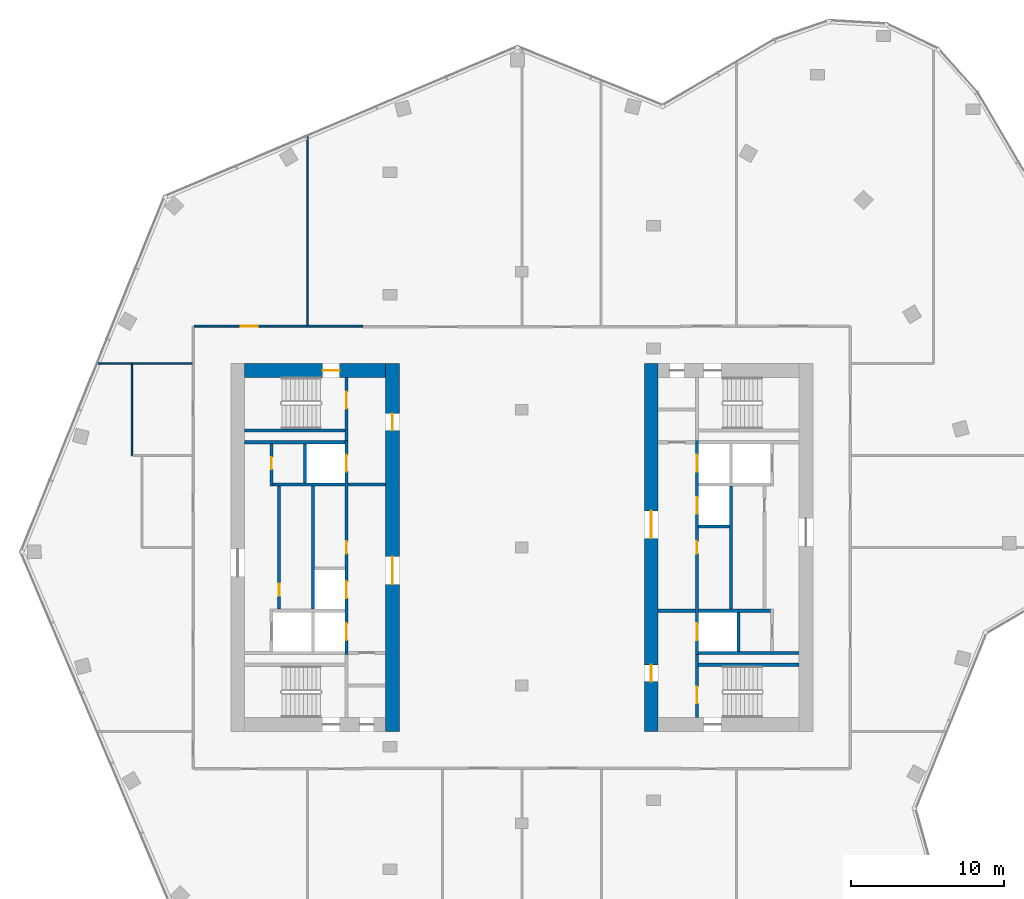
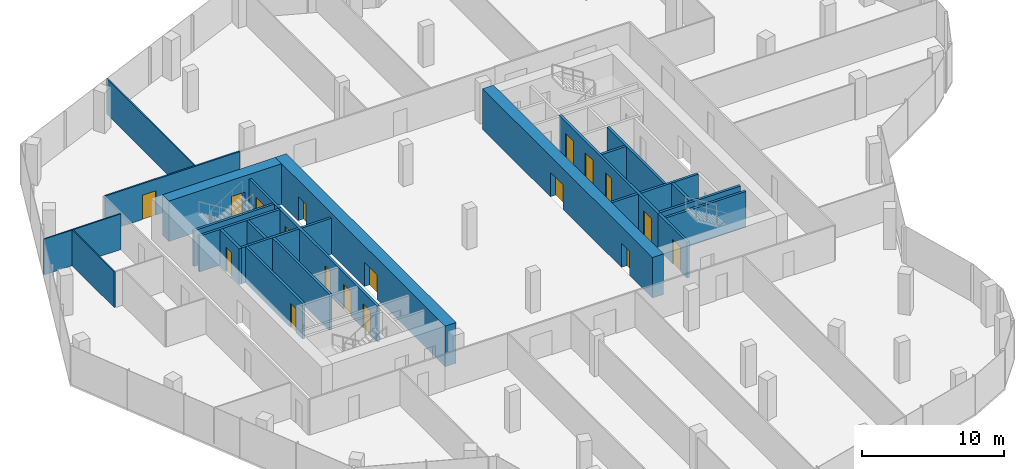
# One storey, part 13 of 16: 26 walls, 18 doors, 18 openings.
"""IFC4 building model written with IfcOpenShell, lengths in metres."""

import ifcopenshell
import ifcopenshell.guid

model = None  # the IFC model being written
_history = None  # IfcOwnerHistory: only IFC2X3 demands one
_inside = {}  # id of a spatial element -> (the spatial element, [elements in it])
_under = {}  # id of a project, library or spatial element -> (it, [spatial elements below it])
_declared = {}  # id of a project -> (the project, [libraries it declares])
_typed = {}  # id of a type object -> (the type object, [elements of that type])
_made_of = {}  # id of a material, layer set ... -> (it, [elements and type objects made of it])


def new_model(schema):
    """Start an empty IFC model of exactly this schema.

    Asked for "IFC4X3", IfcOpenShell would pick the latest addendum, in which some entities
    have other attributes; the version numbers below select the first issue.
    IFC2X3 requires an IfcOwnerHistory on every rooted entity: one is made here for all.
    """
    global model, _history
    if schema == "IFC4X3":
        model = ifcopenshell.file(schema_version=(4, 3, 0, 0))
    else:
        model = ifcopenshell.file(schema=schema)
    _inside.clear()
    _under.clear()
    _declared.clear()
    _typed.clear()
    _made_of.clear()
    _history = None
    if model.schema == "IFC2X3":
        org = make("IfcOrganization", Name="unknown")
        user = make(
            "IfcPersonAndOrganization",
            ThePerson=make("IfcPerson", FamilyName="unknown"),
            TheOrganization=org,
        )
        app = make(
            "IfcApplication",
            ApplicationDeveloper=org,
            Version="unknown",
            ApplicationFullName="unknown",
            ApplicationIdentifier="unknown",
        )
        _history = make(
            "IfcOwnerHistory",
            OwningUser=user,
            OwningApplication=app,
            ChangeAction="ADDED",
            CreationDate=0,
        )
    return model


def make(cls, **values):
    """One entity of the class cls with the attributes given. An attribute that is None is left unset."""
    return model.create_entity(
        cls, **{name: value for name, value in values.items() if value is not None}
    )


def rooted(cls, **values):
    """An entity with a GlobalId (a new one), such as an element, a storey or a relation."""
    return make(cls, GlobalId=ifcopenshell.guid.new(), OwnerHistory=_history, **values)


def si_unit(unit_type, name, prefix=None):
    """IfcSIUnit, for example si_unit("LENGTHUNIT", "METRE", prefix="MILLI")."""
    return make("IfcSIUnit", UnitType=unit_type, Prefix=prefix, Name=name)


def assignment(units):
    """IfcUnitAssignment: the units of a project."""
    return None if units is None else make("IfcUnitAssignment", Units=units)


def point(xyz):
    """IfcCartesianPoint."""
    return None if xyz is None else make("IfcCartesianPoint", Coordinates=xyz)


def direction(xyz):
    """IfcDirection."""
    return None if xyz is None else make("IfcDirection", DirectionRatios=xyz)


def frame(location, z_axis=None, x_axis=None):
    """IfcAxis2Placement3D, a coordinate frame: its origin and axes. An axis left out is left unset."""
    return make(
        "IfcAxis2Placement3D",
        Location=point(location),
        Axis=direction(z_axis),
        RefDirection=direction(x_axis),
    )


def frame_2d(location, x_axis=None):
    """IfcAxis2Placement2D, a coordinate frame in the plane: its origin and x axis."""
    return make(
        "IfcAxis2Placement2D", Location=point(location), RefDirection=direction(x_axis)
    )


def origin():
    """The frame at (0, 0, 0) with its axes left unset."""
    return frame((0.0, 0.0, 0.0))


def place(relative_to, where):
    """IfcLocalPlacement: puts the frame where relative to a parent placement (None: the world)."""
    return make(
        "IfcLocalPlacement", PlacementRelTo=relative_to, RelativePlacement=where
    )


def context(
    kind, dimensions, precision=None, world=None, true_north=None, identifier=None
):
    """IfcGeometricRepresentationContext, for example the 3D "Model" context."""
    return make(
        "IfcGeometricRepresentationContext",
        ContextIdentifier=identifier,
        ContextType=kind,
        CoordinateSpaceDimension=dimensions,
        Precision=precision,
        WorldCoordinateSystem=world,
        TrueNorth=true_north,
    )


def subcontext(parent, identifier, kind, view, scale=None):
    """IfcGeometricRepresentationSubContext, for example "Body" below "Model"."""
    return make(
        "IfcGeometricRepresentationSubContext",
        ContextIdentifier=identifier,
        ContextType=kind,
        ParentContext=parent,
        TargetScale=scale,
        TargetView=view,
    )


def project(units=None, contexts=None):
    """IfcProject with its units and contexts."""
    return rooted(
        "IfcProject",
        Name="project",
        RepresentationContexts=contexts,
        UnitsInContext=assignment(units),
    )


def spatial(cls, under=None, at=None, **own):
    """A site, building, storey or space (cls), placed at a placement, below another one or the project."""
    s = rooted(cls, ObjectPlacement=at, **own)
    if under is not None:
        _under.setdefault(under.id(), (under, []))[1].append(s)
    return s


def profile(cls, at=None, kind="AREA", **sizes):
    """A parametric profile (cls). Its sizes go by their IFC names, for example OverallWidth=200.0."""
    return make(cls, ProfileType=kind, Position=at, **sizes)


def rectangle(**sizes):
    """IfcRectangleProfileDef."""
    return profile("IfcRectangleProfileDef", **sizes)


def extrude(swept, where, along, depth):
    """IfcExtrudedAreaSolid: the profile swept, set in the frame where, extruded along a direction by depth."""
    return make(
        "IfcExtrudedAreaSolid",
        SweptArea=swept,
        Position=where,
        ExtrudedDirection=direction(along),
        Depth=depth,
    )


def shape(context_of_items, identifier, shape_type, items):
    """IfcShapeRepresentation: the items that make up one representation, for example the "Body"."""
    return make(
        "IfcShapeRepresentation",
        ContextOfItems=context_of_items,
        RepresentationIdentifier=identifier,
        RepresentationType=shape_type,
        Items=items,
    )


def material(Name=None, Category=None):
    """IfcMaterial."""
    return make("IfcMaterial", Name=Name, Category=Category)


def layer(
    of_material, thickness, ventilated=None, Name=None, Category=None, Priority=None
):
    """IfcMaterialLayer: one layer of a wall or slab, of a material (None: an air gap)."""
    return make(
        "IfcMaterialLayer",
        Material=of_material,
        LayerThickness=thickness,
        IsVentilated=ventilated,
        Name=Name,
        Category=Category,
        Priority=Priority,
    )


def layer_set(layers, Name=None):
    """IfcMaterialLayerSet."""
    return make("IfcMaterialLayerSet", MaterialLayers=layers, LayerSetName=Name)


def made_of(thing, what):
    """Note that an element or type object is made of a material, layer set ...; save() writes the relation."""
    if what is not None:
        _made_of.setdefault(what.id(), (what, []))[1].append(thing)
    return thing


def type_object(cls, material=None, **own):
    """A type object (cls), such as IfcWallType, which elements share."""
    return made_of(rooted(cls, **own), material)


def element(
    cls,
    number,
    at=None,
    inside=None,
    cuts=None,
    type_object=None,
    material=None,
    context=None,
    identifier="Body",
    shape_type=None,
    held_by="IfcProductDefinitionShape",
    body=None,
    shapes=None,
    **own,
):
    """One element of the class cls, such as IfcWall. Its Tag is "e" and its number.

    at: its placement. inside: the storey or other place that contains it. cuts: it is an
    opening in that element (IfcRelVoidsElement). A single representation is given by context,
    identifier, shape_type and body (its items); several are given by shapes. held_by: the class
    of the entity that holds the representations. save() writes the other relations.
    """
    e = rooted(cls, Tag="e%d" % number, ObjectPlacement=at, **own)
    if body is not None:
        shapes = [shape(context, identifier, shape_type, body)]
    if shapes is not None:
        e.Representation = make(held_by, Representations=shapes)
    if inside is not None:
        _inside.setdefault(inside.id(), (inside, []))[1].append(e)
    if cuts is not None:
        rooted(
            "IfcRelVoidsElement", RelatingBuildingElement=cuts, RelatedOpeningElement=e
        )
    if type_object is not None:
        _typed.setdefault(type_object.id(), (type_object, []))[1].append(e)
    return made_of(e, material)


def fill(opening, filler):
    """IfcRelFillsElement: the door or window that sits in an opening."""
    return rooted(
        "IfcRelFillsElement",
        RelatingOpeningElement=opening,
        RelatedBuildingElement=filler,
    )


def aggregate(whole, parts):
    """IfcRelAggregates: a whole, such as a stair, and the parts it consists of."""
    return rooted("IfcRelAggregates", RelatingObject=whole, RelatedObjects=parts)


def save(model, path):
    """Write the relations noted so far, then the file.

    IfcRelAggregates (storeys below a building ...), IfcRelContainedInSpatialStructure (elements
    in a storey), IfcRelDefinesByType, IfcRelAssociatesMaterial and IfcRelDeclares: one each for
    every whole, place, type object, material and project.
    """
    for whole, parts in _under.values():
        aggregate(whole, parts)
    for where, things in _inside.values():
        rooted(
            "IfcRelContainedInSpatialStructure",
            RelatedElements=things,
            RelatingStructure=where,
        )
    for kind, things in _typed.values():
        rooted("IfcRelDefinesByType", RelatedObjects=things, RelatingType=kind)
    for what, things in _made_of.values():
        rooted("IfcRelAssociatesMaterial", RelatedObjects=things, RelatingMaterial=what)
    for by, libraries in _declared.values():
        rooted("IfcRelDeclares", RelatingContext=by, RelatedDefinitions=libraries)
    model.write(path)


model = new_model("IFC4")

# Units and contexts
model_context = context("Model", 3, precision=1e-05, world=origin(), true_north=direction((0.0, 1.0)))
body_context = subcontext(model_context, "Body", "Model", "MODEL_VIEW")
ifc_project = project(units=[si_unit("LENGTHUNIT", "METRE"), si_unit("AREAUNIT", "SQUARE_METRE"), si_unit("VOLUMEUNIT", "CUBIC_METRE"), si_unit("PLANEANGLEUNIT", "RADIAN"), si_unit("MASSUNIT", "GRAM", prefix="KILO")], contexts=[model_context])

# Site, building, storey
site_placement = place(None, origin())
site = spatial("IfcSite", under=ifc_project, at=site_placement, CompositionType="ELEMENT")
building_placement = place(site_placement, origin())
building = spatial("IfcBuilding", under=site, at=building_placement, Name="Orlundy Tower", CompositionType="ELEMENT")
storey_placement = place(building_placement, frame((0.0, 0.0, 282.39990234375)))
storey = spatial("IfcBuildingStorey", under=building, at=storey_placement, Name="L75", CompositionType="ELEMENT", Elevation=282.39990234375)

# Wall, opening, door
ifc_material_1 = material(Name="Concrete C50/60", Category="concrete")
ifc_layer_1 = layer(ifc_material_1, 0.89990234375)
ifc_layer_set_1 = layer_set([ifc_layer_1], Name="CORE WALL 900 C50/60")
wall_type_1 = type_object("IfcWallType", Name="CORE WALL 900 C50/60", PredefinedType="SHEAR", material=ifc_layer_set_1)
wall_1_placement = place(storey_placement, frame((-18.10009765625, 11.550048828125, 0.0), z_axis=(0.0, 0.0, 1.0), x_axis=(1.0, 0.0, 0.0)))
wall_1 = element("IfcWall", 1, at=wall_1_placement, inside=storey, type_object=wall_type_1, Name="Core wall W-N L75", PredefinedType="SHEAR", context=body_context, shape_type="SweptSolid", body=[
    extrude(rectangle(XDim=9.2001953125, YDim=0.89990234375, at=frame_2d((4.60009765625, 0.0))), origin(), (0.0, 0.0, 1.0), 3.5),
])
opening_1_placement = place(wall_1_placement, frame((5.10009765625, 0.0, 0.0)))
opening_1 = element("IfcOpeningElement", 2, at=opening_1_placement, cuts=wall_1, Name="Opening 57011", PredefinedType="OPENING", context=body_context, shape_type="SweptSolid", body=[
    extrude(rectangle(XDim=1.10009765625, YDim=2.10009765625, at=frame_2d((0.550048828125, 1.050048828125))), frame((0.0, 0.4599609375, 0.0), z_axis=(0.0, -1.0, 0.0), x_axis=(1.0, 0.0, 0.0)), (0.0, 0.0, 1.0), 0.919921875),
])
ifc_material_2 = material(Name="Steel door set", Category="steel")
door_type_1 = type_object("IfcDoorType", Name="Stair Door 1100x2100", OperationType="SINGLE_SWING_LEFT", PredefinedType="DOOR", material=ifc_material_2)
door_1_placement = place(opening_1_placement, origin())
door_1 = element("IfcDoor", 3, at=door_1_placement, inside=storey, type_object=door_type_1, Name="Stair door 57011", OperationType="SINGLE_SWING_RIGHT", OverallHeight=2.10009765625, OverallWidth=1.10009765625, PredefinedType="DOOR", context=body_context, shape_type="SweptSolid", body=[
    extrude(rectangle(XDim=1.10009765625, YDim=2.10009765625, at=frame_2d((0.550048828125, 1.050048828125))), frame((0.0, 0.02490234375, 0.0), z_axis=(0.0, -1.0, 0.0), x_axis=(1.0, 0.0, 0.0)), (0.0, 0.0, 1.0), 0.050048828125),
])
fill(opening_1, door_1)

# Wall, openings, doors
wall_2_placement = place(storey_placement, frame((-8.449951171875, -12.0, 0.0), z_axis=(0.0, 0.0, 1.0), x_axis=(0.0, 1.0, 0.0)))
wall_2 = element("IfcWall", 4, at=wall_2_placement, inside=storey, type_object=wall_type_1, Name="Core wall W-E L75", PredefinedType="SHEAR", context=body_context, shape_type="SweptSolid", body=[
    extrude(rectangle(XDim=24.0, YDim=0.89990234375, at=frame_2d((12.0, 0.0))), origin(), (0.0, 0.0, 1.0), 3.5),
])
opening_2_placement = place(wall_2_placement, frame((9.60009765625, 0.0, 0.0)))
opening_2 = element("IfcOpeningElement", 5, at=opening_2_placement, cuts=wall_2, Name="Opening 57008", PredefinedType="OPENING", context=body_context, shape_type="SweptSolid", body=[
    extrude(rectangle(XDim=1.800048828125, YDim=2.10009765625, at=frame_2d((0.89990234375, 1.050048828125))), frame((0.0, 0.4599609375, 0.0), z_axis=(0.0, -1.0, 0.0), x_axis=(1.0, 0.0, 0.0)), (0.0, 0.0, 1.0), 0.919921875),
])
opening_3_placement = place(wall_2_placement, frame((19.64990234375, 0.0, 0.0)))
opening_3 = element("IfcOpeningElement", 6, at=opening_3_placement, cuts=wall_2, Name="Opening 57010", PredefinedType="OPENING", context=body_context, shape_type="SweptSolid", body=[
    extrude(rectangle(XDim=1.10009765625, YDim=2.10009765625, at=frame_2d((0.550048828125, 1.050048828125))), frame((0.0, 0.4599609375, 0.0), z_axis=(0.0, -1.0, 0.0), x_axis=(1.0, 0.0, 0.0)), (0.0, 0.0, 1.0), 0.919921875),
])
ifc_material_3 = material(Name="Steel door set", Category="steel")
door_type_2 = type_object("IfcDoorType", Name="Fire-fighting Lobby Door 1100x2100", OperationType="SINGLE_SWING_LEFT", PredefinedType="DOOR", material=ifc_material_3)
door_2_placement = place(opening_3_placement, origin())
door_2 = element("IfcDoor", 7, at=door_2_placement, inside=storey, type_object=door_type_2, Name="Fire-fighting lobby door 57010", OperationType="SINGLE_SWING_RIGHT", OverallHeight=2.10009765625, OverallWidth=1.10009765625, PredefinedType="DOOR", context=body_context, shape_type="SweptSolid", body=[
    extrude(rectangle(XDim=1.10009765625, YDim=2.10009765625, at=frame_2d((0.550048828125, 1.050048828125))), frame((0.0, 0.02490234375, 0.0), z_axis=(0.0, -1.0, 0.0), x_axis=(1.0, 0.0, 0.0)), (0.0, 0.0, 1.0), 0.050048828125),
])
fill(opening_3, door_2)
ifc_material_4 = material(Name="Timber door set", Category="wood")
door_type_3 = type_object("IfcDoorType", Name="Lobby Door 1800x2100", OperationType="DOUBLE_DOOR_DOUBLE_SWING", PredefinedType="DOOR", material=ifc_material_4)
door_3_placement = place(opening_2_placement, origin())
door_3 = element("IfcDoor", 8, at=door_3_placement, inside=storey, type_object=door_type_3, Name="Lift lobby door 57008", OperationType="SINGLE_SWING_LEFT", OverallHeight=2.10009765625, OverallWidth=1.800048828125, PredefinedType="DOOR", context=body_context, shape_type="SweptSolid", body=[
    extrude(rectangle(XDim=1.800048828125, YDim=2.10009765625, at=frame_2d((0.89990234375, 1.050048828125))), frame((0.0, 0.02490234375, 0.0), z_axis=(0.0, -1.0, 0.0), x_axis=(1.0, 0.0, 0.0)), (0.0, 0.0, 1.0), 0.050048828125),
])
fill(opening_2, door_3)

wall_3_placement = place(storey_placement, frame((8.449951171875, -12.0, 0.0), z_axis=(0.0, 0.0, 1.0), x_axis=(0.0, 1.0, 0.0)))
wall_3 = element("IfcWall", 9, at=wall_3_placement, inside=storey, type_object=wall_type_1, Name="Core wall E-W L75", PredefinedType="SHEAR", context=body_context, shape_type="SweptSolid", body=[
    extrude(rectangle(XDim=24.0, YDim=0.89990234375, at=frame_2d((12.0, 0.0))), origin(), (0.0, 0.0, 1.0), 3.5),
])
opening_4_placement = place(wall_3_placement, frame((12.60009765625, 0.0, 0.0)))
opening_4 = element("IfcOpeningElement", 10, at=opening_4_placement, cuts=wall_3, Name="Opening 57057", PredefinedType="OPENING", context=body_context, shape_type="SweptSolid", body=[
    extrude(rectangle(XDim=1.800048828125, YDim=2.10009765625, at=frame_2d((0.89990234375, 1.050048828125))), frame((0.0, 0.4599609375, 0.0), z_axis=(0.0, -1.0, 0.0), x_axis=(1.0, 0.0, 0.0)), (0.0, 0.0, 1.0), 0.919921875),
])
opening_5_placement = place(wall_3_placement, frame((3.25, 0.0, 0.0)))
opening_5 = element("IfcOpeningElement", 11, at=opening_5_placement, cuts=wall_3, Name="Opening 57059", PredefinedType="OPENING", context=body_context, shape_type="SweptSolid", body=[
    extrude(rectangle(XDim=1.10009765625, YDim=2.10009765625, at=frame_2d((0.550048828125, 1.050048828125))), frame((0.0, 0.4599609375, 0.0), z_axis=(0.0, -1.0, 0.0), x_axis=(1.0, 0.0, 0.0)), (0.0, 0.0, 1.0), 0.919921875),
])
door_4_placement = place(opening_5_placement, origin())
door_4 = element("IfcDoor", 12, at=door_4_placement, inside=storey, type_object=door_type_2, Name="Fire-fighting lobby door 57059", OperationType="SINGLE_SWING_LEFT", OverallHeight=2.10009765625, OverallWidth=1.10009765625, PredefinedType="DOOR", context=body_context, shape_type="SweptSolid", body=[
    extrude(rectangle(XDim=1.10009765625, YDim=2.10009765625, at=frame_2d((0.550048828125, 1.050048828125))), frame((0.0, 0.02490234375, 0.0), z_axis=(0.0, -1.0, 0.0), x_axis=(1.0, 0.0, 0.0)), (0.0, 0.0, 1.0), 0.050048828125),
])
fill(opening_5, door_4)
door_5_placement = place(opening_4_placement, origin())
door_5 = element("IfcDoor", 13, at=door_5_placement, inside=storey, type_object=door_type_3, Name="Lift lobby door 57057", OperationType="SINGLE_SWING_RIGHT", OverallHeight=2.10009765625, OverallWidth=1.800048828125, PredefinedType="DOOR", context=body_context, shape_type="SweptSolid", body=[
    extrude(rectangle(XDim=1.800048828125, YDim=2.10009765625, at=frame_2d((0.89990234375, 1.050048828125))), frame((0.0, 0.02490234375, 0.0), z_axis=(0.0, -1.0, 0.0), x_axis=(1.0, 0.0, 0.0)), (0.0, 0.0, 1.0), 0.050048828125),
])
fill(opening_4, door_5)

# Walls
ifc_material_5 = material(Name="Gypsum board partition")
ifc_layer_2 = layer(ifc_material_5, 0.10009765625)
ifc_layer_set_2 = layer_set([ifc_layer_2], Name="Floor partition 100")
wall_type_2 = type_object("IfcWallType", Name="Floor partition 100", PredefinedType="PARTITIONING", material=ifc_layer_set_2)
wall_4_placement = place(storey_placement, frame((-27.778076171875, 12.0, 0.0), z_axis=(0.0, 0.0, 1.0), x_axis=(1.0, 0.0, 0.0)))
element("IfcWall", 14, at=wall_4_placement, inside=storey, type_object=wall_type_2, Name="wall-int-L75-010", PredefinedType="PARTITIONING", context=body_context, shape_type="SweptSolid", body=[
    extrude(rectangle(XDim=6.26611328125, YDim=0.10009765625, at=frame_2d((3.133056640625, 0.0))), origin(), (0.0, 0.0, 1.0), 3.080078125),
])
wall_5_placement = place(storey_placement, frame((-14.0, 14.513916015625, 0.0), z_axis=(0.0, 0.0, 1.0), x_axis=(0.0, 1.0, 0.0)))
element("IfcWall", 15, at=wall_5_placement, inside=storey, type_object=wall_type_2, Name="wall-int-L75-025", PredefinedType="PARTITIONING", context=body_context, shape_type="SweptSolid", body=[
    extrude(rectangle(XDim=12.406005859375, YDim=0.10009765625, at=frame_2d((6.203125, 0.0))), origin(), (0.0, 0.0, 1.0), 3.080078125),
])
wall_6_placement = place(storey_placement, frame((-25.447998046875, 6.0009765625, 0.0), z_axis=(0.0, 0.0, 1.0), x_axis=(0.0, 1.0, 0.0)))
element("IfcWall", 16, at=wall_6_placement, inside=storey, type_object=wall_type_2, Name="wall-int-L75-028", PredefinedType="PARTITIONING", context=body_context, shape_type="SweptSolid", body=[
    extrude(rectangle(XDim=5.948974609375, YDim=0.10009765625, at=frame_2d((2.974609375, 0.0))), origin(), (0.0, 0.0, 1.0), 3.080078125),
])

# Wall, opening, door
ifc_material_6 = material(Name="Gypsum board partition, double layer")
ifc_layer_3 = layer(ifc_material_6, 0.125)
ifc_layer_set_3 = layer_set([ifc_layer_3], Name="Floor partition 125")
wall_type_3 = type_object("IfcWallType", Name="Floor partition 125", PredefinedType="PARTITIONING", material=ifc_layer_set_3)
wall_7_placement = place(storey_placement, frame((-21.386962890625, 14.450927734375, 0.0), z_axis=(0.0, 0.0, 1.0), x_axis=(1.0, 0.0, 0.0)))
wall_7 = element("IfcWall", 17, at=wall_7_placement, inside=storey, type_object=wall_type_3, Name="wall-int-L75-013", PredefinedType="PARTITIONING", context=body_context, shape_type="SweptSolid", body=[
    extrude(rectangle(XDim=10.995849609375, YDim=0.125, at=frame_2d((5.498046875, 0.0))), origin(), (0.0, 0.0, 1.0), 3.080078125),
])
opening_6_placement = place(wall_7_placement, frame((3.03759765625, 0.0, 0.0)))
opening_6 = element("IfcOpeningElement", 18, at=opening_6_placement, cuts=wall_7, Name="Opening 57115", PredefinedType="OPENING", context=body_context, shape_type="SweptSolid", body=[
    extrude(rectangle(XDim=1.10009765625, YDim=2.10009765625, at=frame_2d((0.550048828125, 1.050048828125))), frame((0.0, 0.072509765625, 0.0), z_axis=(0.0, -1.0, 0.0), x_axis=(1.0, 0.0, 0.0)), (0.0, 0.0, 1.0), 0.14501953125),
])
ifc_material_7 = material(Name="Timber door leaf", Category="wood")
door_type_4 = type_object("IfcDoorType", Name="Floor door xwide 1100 FD30S", OperationType="NOTDEFINED", PredefinedType="DOOR", material=ifc_material_7)
door_6_placement = place(opening_6_placement, origin())
door_6 = element("IfcDoor", 19, at=door_6_placement, inside=storey, type_object=door_type_4, Name="Door 57115", OperationType="SINGLE_SWING_LEFT", OverallHeight=2.10009765625, OverallWidth=1.10009765625, PredefinedType="DOOR", context=body_context, shape_type="SweptSolid", body=[
    extrude(rectangle(XDim=1.10009765625, YDim=2.10009765625, at=frame_2d((0.550048828125, 1.050048828125))), frame((0.0, 0.02490234375, 0.0), z_axis=(0.0, -1.0, 0.0), x_axis=(1.0, 0.0, 0.0)), (0.0, 0.0, 1.0), 0.050048828125),
])
fill(opening_6, door_6)

ifc_material_8 = material(Name="Concrete C40/50", Category="concrete")
ifc_layer_4 = layer(ifc_material_8, 0.199951171875)
ifc_layer_set_4 = layer_set([ifc_layer_4], Name="Load-bearing Shaft Wall 200")
wall_type_4 = type_object("IfcWallType", Name="Load-bearing Shaft Wall 200", PredefinedType="SOLIDWALL", material=ifc_layer_set_4)
wall_8_placement = place(storey_placement, frame((-11.43994140625, 6.97509765625, 0.0), z_axis=(0.0, 0.0, 1.0), x_axis=(0.0, 1.0, 0.0)))
wall_8 = element("IfcWall", 20, at=wall_8_placement, inside=storey, type_object=wall_type_4, Name="Shaft wall W57-stair-end-n", PredefinedType="SOLIDWALL", context=body_context, shape_type="SweptSolid", body=[
    extrude(rectangle(XDim=4.125, YDim=0.199951171875, at=frame_2d((2.0625, 0.0))), origin(), (0.0, 0.0, 1.0), 3.090087890625),
])
opening_7_placement = place(wall_8_placement, frame((2.10009765625, 0.0, 0.0)))
opening_7 = element("IfcOpeningElement", 21, at=opening_7_placement, cuts=wall_8, Name="Opening 57013", PredefinedType="OPENING", context=body_context, shape_type="SweptSolid", body=[
    extrude(rectangle(XDim=1.10009765625, YDim=2.10009765625, at=frame_2d((0.550048828125, 1.050048828125))), frame((0.0, 0.110107421875, 0.0), z_axis=(0.0, -1.0, 0.0), x_axis=(1.0, 0.0, 0.0)), (0.0, 0.0, 1.0), 0.22021484375),
])
door_7_placement = place(opening_7_placement, origin())
door_7 = element("IfcDoor", 22, at=door_7_placement, inside=storey, type_object=door_type_2, Name="Fire-fighting lobby to stair door 57013", OperationType="SINGLE_SWING_RIGHT", OverallHeight=2.10009765625, OverallWidth=1.10009765625, PredefinedType="DOOR", context=body_context, shape_type="SweptSolid", body=[
    extrude(rectangle(XDim=1.10009765625, YDim=2.10009765625, at=frame_2d((0.550048828125, 1.050048828125))), frame((0.0, 0.02490234375, 0.0), z_axis=(0.0, -1.0, 0.0), x_axis=(1.0, 0.0, 0.0)), (0.0, 0.0, 1.0), 0.050048828125),
])
fill(opening_7, door_7)

# Wall
wall_9_placement = place(storey_placement, frame((-11.5400390625, 7.64990234375, 0.0), z_axis=(0.0, 0.0, 1.0), x_axis=(-1.0, 0.0, 0.0)))
element("IfcWall", 23, at=wall_9_placement, inside=storey, type_object=wall_type_4, Name="Shaft wall W57-stair-side-n", PredefinedType="SOLIDWALL", context=body_context, shape_type="SweptSolid", body=[
    extrude(rectangle(XDim=6.56005859375, YDim=0.199951171875, at=frame_2d((3.280029296875, 0.0))), origin(), (0.0, 0.0, 1.0), 3.090087890625),
])

# Wall, opening, door
wall_10_placement = place(storey_placement, frame((11.43994140625, -6.97509765625, 0.0), z_axis=(0.0, 0.0, 1.0), x_axis=(0.0, -1.0, 0.0)))
wall_10 = element("IfcWall", 24, at=wall_10_placement, inside=storey, type_object=wall_type_4, Name="Shaft wall E57-stair-end-n", PredefinedType="SOLIDWALL", context=body_context, shape_type="SweptSolid", body=[
    extrude(rectangle(XDim=4.125, YDim=0.199951171875, at=frame_2d((2.0625, 0.0))), origin(), (0.0, 0.0, 1.0), 3.090087890625),
])
opening_8_placement = place(wall_10_placement, frame((2.10009765625, 0.0, 0.0)))
opening_8 = element("IfcOpeningElement", 25, at=opening_8_placement, cuts=wall_10, Name="Opening 57062", PredefinedType="OPENING", context=body_context, shape_type="SweptSolid", body=[
    extrude(rectangle(XDim=1.10009765625, YDim=2.10009765625, at=frame_2d((0.550048828125, 1.050048828125))), frame((0.0, 0.110107421875, 0.0), z_axis=(0.0, -1.0, 0.0), x_axis=(1.0, 0.0, 0.0)), (0.0, 0.0, 1.0), 0.22021484375),
])
door_8_placement = place(opening_8_placement, origin())
door_8 = element("IfcDoor", 26, at=door_8_placement, inside=storey, type_object=door_type_2, Name="Fire-fighting lobby to stair door 57062", OperationType="SINGLE_SWING_RIGHT", OverallHeight=2.10009765625, OverallWidth=1.10009765625, PredefinedType="DOOR", context=body_context, shape_type="SweptSolid", body=[
    extrude(rectangle(XDim=1.10009765625, YDim=2.10009765625, at=frame_2d((0.550048828125, 1.050048828125))), frame((0.0, 0.02490234375, 0.0), z_axis=(0.0, -1.0, 0.0), x_axis=(1.0, 0.0, 0.0)), (0.0, 0.0, 1.0), 0.050048828125),
])
fill(opening_8, door_8)

# Walls
wall_11_placement = place(storey_placement, frame((11.5400390625, -7.64990234375, 0.0), z_axis=(0.0, 0.0, 1.0), x_axis=(1.0, 0.0, 0.0)))
element("IfcWall", 27, at=wall_11_placement, inside=storey, type_object=wall_type_4, Name="Shaft wall E57-stair-side-n", PredefinedType="SOLIDWALL", context=body_context, shape_type="SweptSolid", body=[
    extrude(rectangle(XDim=6.56005859375, YDim=0.199951171875, at=frame_2d((3.280029296875, 0.0))), origin(), (0.0, 0.0, 1.0), 3.090087890625),
])
ifc_material_9 = material(Name="Gypsum board partition on steel studs", Category="steel")
ifc_layer_5 = layer(ifc_material_9, 0.199951171875)
ifc_layer_set_5 = layer_set([ifc_layer_5], Name="Partition 200")
wall_type_5 = type_object("IfcWallType", Name="Partition 200", PredefinedType="PARTITIONING", material=ifc_layer_set_5)
for number, where, z_axis, x_axis, name in (
    (28, (-8.89990234375, 4.125, 0.0), (0.0, 0.0, 1.0), (-1.0, 0.0, 0.0), "Partition wall W57-lobby-n"),
    (29, (8.89990234375, -4.125, 0.0), (0.0, 0.0, 1.0), (1.0, 0.0, 0.0), "Partition wall E57-lobby-n"),
):
    element("IfcWall", number, at=place(storey_placement, frame(where, z_axis=z_axis, x_axis=x_axis)), inside=storey, type_object=wall_type_5, Name=name, PredefinedType="PARTITIONING", context=body_context, shape_type="SweptSolid", body=[
        extrude(rectangle(XDim=2.440185546875, YDim=0.199951171875, at=frame_2d((1.22021484375, 0.0))), origin(), (0.0, 0.0, 1.0), 3.090087890625),
    ])
ifc_material_10 = material(Name="Fire-rated blockwork shaft wall", Category="masonry")
ifc_layer_6 = layer(ifc_material_10, 0.199951171875)
ifc_layer_set_6 = layer_set([ifc_layer_6], Name="Shaft Wall 200")
wall_type_6 = type_object("IfcWallType", Name="Shaft Wall 200", PredefinedType="SOLIDWALL", material=ifc_layer_set_6)
wall_12_placement = place(storey_placement, frame((-11.5400390625, 6.875, 0.0), z_axis=(0.0, 0.0, 1.0), x_axis=(-1.0, 0.0, 0.0)))
element("IfcWall", 30, at=wall_12_placement, inside=storey, type_object=wall_type_6, Name="Shaft wall W57-zone-n", PredefinedType="SOLIDWALL", context=body_context, shape_type="SweptSolid", body=[
    extrude(rectangle(XDim=6.56005859375, YDim=0.199951171875, at=frame_2d((3.280029296875, 0.0))), origin(), (0.0, 0.0, 1.0), 3.090087890625),
])
wall_13_placement = place(storey_placement, frame((-11.5400390625, 4.125, 0.0), z_axis=(0.0, 0.0, 1.0), x_axis=(-1.0, 0.0, 0.0)))
element("IfcWall", 31, at=wall_13_placement, inside=storey, type_object=wall_type_6, Name="Shaft wall W57-cross+4.125", PredefinedType="SOLIDWALL", context=body_context, shape_type="SweptSolid", body=[
    extrude(rectangle(XDim=4.699951171875, YDim=0.199951171875, at=frame_2d((2.35009765625, 0.0))), origin(), (0.0, 0.0, 1.0), 3.090087890625),
])

# Wall, openings, doors
wall_14_placement = place(storey_placement, frame((-11.43994140625, -6.97509765625, 0.0), z_axis=(0.0, 0.0, 1.0), x_axis=(0.0, 1.0, 0.0)))
wall_14 = element("IfcWall", 32, at=wall_14_placement, inside=storey, type_object=wall_type_6, Name="Shaft wall W57-front-h", PredefinedType="SOLIDWALL", context=body_context, shape_type="SweptSolid", body=[
    extrude(rectangle(XDim=13.9501953125, YDim=0.199951171875, at=frame_2d((6.97509765625, 0.0))), origin(), (0.0, 0.0, 1.0), 3.090087890625),
])
opening_9_placement = place(wall_14_placement, frame((0.925048828125, 0.0, 0.0)))
opening_9 = element("IfcOpeningElement", 33, at=opening_9_placement, cuts=wall_14, Name="Opening 57001", PredefinedType="OPENING", context=body_context, shape_type="SweptSolid", body=[
    extrude(rectangle(XDim=1.10009765625, YDim=2.10009765625, at=frame_2d((0.550048828125, 1.050048828125))), frame((0.0, 0.110107421875, 0.0), z_axis=(0.0, -1.0, 0.0), x_axis=(1.0, 0.0, 0.0)), (0.0, 0.0, 1.0), 0.22021484375),
])
opening_10_placement = place(wall_14_placement, frame((3.675048828125, 0.0, 0.0)))
opening_10 = element("IfcOpeningElement", 34, at=opening_10_placement, cuts=wall_14, Name="Opening 57003", PredefinedType="OPENING", context=body_context, shape_type="SweptSolid", body=[
    extrude(rectangle(XDim=1.10009765625, YDim=2.10009765625, at=frame_2d((0.550048828125, 1.050048828125))), frame((0.0, 0.110107421875, 0.0), z_axis=(0.0, -1.0, 0.0), x_axis=(1.0, 0.0, 0.0)), (0.0, 0.0, 1.0), 0.22021484375),
])
opening_11_placement = place(wall_14_placement, frame((11.925048828125, 0.0, 0.0)))
opening_11 = element("IfcOpeningElement", 35, at=opening_11_placement, cuts=wall_14, Name="Opening 57004", PredefinedType="OPENING", context=body_context, shape_type="SweptSolid", body=[
    extrude(rectangle(XDim=1.10009765625, YDim=2.10009765625, at=frame_2d((0.550048828125, 1.050048828125))), frame((0.0, 0.110107421875, 0.0), z_axis=(0.0, -1.0, 0.0), x_axis=(1.0, 0.0, 0.0)), (0.0, 0.0, 1.0), 0.22021484375),
])
opening_12_placement = place(wall_14_placement, frame((6.574951171875, 0.0, 0.0)))
opening_12 = element("IfcOpeningElement", 36, at=opening_12_placement, cuts=wall_14, Name="Opening 57006", PredefinedType="OPENING", context=body_context, shape_type="SweptSolid", body=[
    extrude(rectangle(XDim=0.800048828125, YDim=2.10009765625, at=frame_2d((0.39990234375, 1.050048828125))), frame((0.0, 0.110107421875, 0.0), z_axis=(0.0, -1.0, 0.0), x_axis=(1.0, 0.0, 0.0)), (0.0, 0.0, 1.0), 0.22021484375),
])
ifc_material_11 = material(Name="Steel door set", Category="steel")
door_type_5 = type_object("IfcDoorType", Name="Landing Door 1100x2100", OperationType="DOUBLE_DOOR_SLIDING", PredefinedType="DOOR", material=ifc_material_11)
door_9_placement = place(opening_9_placement, origin())
door_9 = element("IfcDoor", 37, at=door_9_placement, inside=storey, type_object=door_type_5, Name="Lift landing door LP-22 57001", OperationType="DOUBLE_DOOR_SLIDING", OverallHeight=2.10009765625, OverallWidth=1.10009765625, PredefinedType="DOOR", context=body_context, shape_type="SweptSolid", body=[
    extrude(rectangle(XDim=1.10009765625, YDim=2.10009765625, at=frame_2d((0.550048828125, 1.050048828125))), frame((0.0, 0.02490234375, 0.0), z_axis=(0.0, -1.0, 0.0), x_axis=(1.0, 0.0, 0.0)), (0.0, 0.0, 1.0), 0.050048828125),
])
fill(opening_9, door_9)
door_10_placement = place(opening_10_placement, origin())
door_10 = element("IfcDoor", 38, at=door_10_placement, inside=storey, type_object=door_type_5, Name="Lift landing door LP-21 57003", OperationType="DOUBLE_DOOR_SLIDING", OverallHeight=2.10009765625, OverallWidth=1.10009765625, PredefinedType="DOOR", context=body_context, shape_type="SweptSolid", body=[
    extrude(rectangle(XDim=1.10009765625, YDim=2.10009765625, at=frame_2d((0.550048828125, 1.050048828125))), frame((0.0, 0.02490234375, 0.0), z_axis=(0.0, -1.0, 0.0), x_axis=(1.0, 0.0, 0.0)), (0.0, 0.0, 1.0), 0.050048828125),
])
fill(opening_10, door_10)
door_11_placement = place(opening_11_placement, origin())
door_11 = element("IfcDoor", 39, at=door_11_placement, inside=storey, type_object=door_type_5, Name="Lift landing door FL1 57004", OperationType="DOUBLE_DOOR_SLIDING", OverallHeight=2.10009765625, OverallWidth=1.10009765625, PredefinedType="DOOR", context=body_context, shape_type="SweptSolid", body=[
    extrude(rectangle(XDim=1.10009765625, YDim=2.10009765625, at=frame_2d((0.550048828125, 1.050048828125))), frame((0.0, 0.02490234375, 0.0), z_axis=(0.0, -1.0, 0.0), x_axis=(1.0, 0.0, 0.0)), (0.0, 0.0, 1.0), 0.050048828125),
])
fill(opening_11, door_11)
ifc_material_12 = material(Name="Timber door set", Category="wood")
door_type_6 = type_object("IfcDoorType", Name="Riser Door 800x2100", OperationType="SINGLE_SWING_LEFT", PredefinedType="DOOR", material=ifc_material_12)
door_12_placement = place(opening_12_placement, origin())
door_12 = element("IfcDoor", 40, at=door_12_placement, inside=storey, type_object=door_type_6, Name="Security Store door 57006", OperationType="SINGLE_SWING_LEFT", OverallHeight=2.10009765625, OverallWidth=0.800048828125, PredefinedType="DOOR", context=body_context, shape_type="SweptSolid", body=[
    extrude(rectangle(XDim=0.800048828125, YDim=2.10009765625, at=frame_2d((0.39990234375, 1.050048828125))), frame((0.0, 0.02490234375, 0.0), z_axis=(0.0, -1.0, 0.0), x_axis=(1.0, 0.0, 0.0)), (0.0, 0.0, 1.0), 0.050048828125),
])
fill(opening_12, door_12)

# Walls
wall_15_placement = place(storey_placement, frame((-13.639892578125, -4.02490234375, 0.0), z_axis=(0.0, 0.0, 1.0), x_axis=(0.0, 1.0, 0.0)))
element("IfcWall", 41, at=wall_15_placement, inside=storey, type_object=wall_type_6, Name="Shaft wall W57-mid-a.1", PredefinedType="SOLIDWALL", context=body_context, shape_type="SweptSolid", body=[
    extrude(rectangle(XDim=8.0498046875, YDim=0.199951171875, at=frame_2d((4.02490234375, 0.0))), origin(), (0.0, 0.0, 1.0), 3.090087890625),
])
wall_16_placement = place(storey_placement, frame((-14.139892578125, 4.22509765625, 0.0), z_axis=(0.0, 0.0, 1.0), x_axis=(0.0, 1.0, 0.0)))
element("IfcWall", 42, at=wall_16_placement, inside=storey, type_object=wall_type_6, Name="Shaft wall W57-mid-b", PredefinedType="SOLIDWALL", context=body_context, shape_type="SweptSolid", body=[
    extrude(rectangle(XDim=2.5498046875, YDim=0.199951171875, at=frame_2d((1.27490234375, 0.0))), origin(), (0.0, 0.0, 1.0), 3.090087890625),
])

# Wall, opening, door
wall_17_placement = place(storey_placement, frame((-15.840087890625, -4.02490234375, 0.0), z_axis=(0.0, 0.0, 1.0), x_axis=(0.0, 1.0, 0.0)))
wall_17 = element("IfcWall", 43, at=wall_17_placement, inside=storey, type_object=wall_type_6, Name="Shaft wall W57-front-o-b", PredefinedType="SOLIDWALL", context=body_context, shape_type="SweptSolid", body=[
    extrude(rectangle(XDim=8.0498046875, YDim=0.199951171875, at=frame_2d((4.02490234375, 0.0))), origin(), (0.0, 0.0, 1.0), 3.090087890625),
])
opening_13_placement = place(wall_17_placement, frame((0.875, 0.0, 0.0)))
opening_13 = element("IfcOpeningElement", 44, at=opening_13_placement, cuts=wall_17, Name="Opening 57005", PredefinedType="OPENING", context=body_context, shape_type="SweptSolid", body=[
    extrude(rectangle(XDim=0.800048828125, YDim=2.10009765625, at=frame_2d((0.39990234375, 1.050048828125))), frame((0.0, 0.110107421875, 0.0), z_axis=(0.0, -1.0, 0.0), x_axis=(1.0, 0.0, 0.0)), (0.0, 0.0, 1.0), 0.22021484375),
])
door_13_placement = place(opening_13_placement, origin())
door_13 = element("IfcDoor", 45, at=door_13_placement, inside=storey, type_object=door_type_6, Name="HVAC Riser door 57005", OperationType="SINGLE_SWING_LEFT", OverallHeight=2.10009765625, OverallWidth=0.800048828125, PredefinedType="DOOR", context=body_context, shape_type="SweptSolid", body=[
    extrude(rectangle(XDim=0.800048828125, YDim=2.10009765625, at=frame_2d((0.39990234375, 1.050048828125))), frame((0.0, 0.02490234375, 0.0), z_axis=(0.0, -1.0, 0.0), x_axis=(1.0, 0.0, 0.0)), (0.0, 0.0, 1.0), 0.050048828125),
])
fill(opening_13, door_13)

wall_18_placement = place(storey_placement, frame((-16.340087890625, 4.02490234375, 0.0), z_axis=(0.0, 0.0, 1.0), x_axis=(0.0, 1.0, 0.0)))
wall_18 = element("IfcWall", 46, at=wall_18_placement, inside=storey, type_object=wall_type_6, Name="Shaft wall W57-front-o-c", PredefinedType="SOLIDWALL", context=body_context, shape_type="SweptSolid", body=[
    extrude(rectangle(XDim=2.75, YDim=0.199951171875, at=frame_2d((1.375, 0.0))), origin(), (0.0, 0.0, 1.0), 3.090087890625),
])
opening_14_placement = place(wall_18_placement, frame((1.074951171875, 0.0, 0.0)))
opening_14 = element("IfcOpeningElement", 47, at=opening_14_placement, cuts=wall_18, Name="Opening 57007", PredefinedType="OPENING", context=body_context, shape_type="SweptSolid", body=[
    extrude(rectangle(XDim=0.800048828125, YDim=2.10009765625, at=frame_2d((0.39990234375, 1.050048828125))), frame((0.0, 0.110107421875, 0.0), z_axis=(0.0, -1.0, 0.0), x_axis=(1.0, 0.0, 0.0)), (0.0, 0.0, 1.0), 0.22021484375),
])
door_14_placement = place(opening_14_placement, origin())
door_14 = element("IfcDoor", 48, at=door_14_placement, inside=storey, type_object=door_type_6, Name="Cable Riser Room door 57007", OperationType="SINGLE_SWING_LEFT", OverallHeight=2.10009765625, OverallWidth=0.800048828125, PredefinedType="DOOR", context=body_context, shape_type="SweptSolid", body=[
    extrude(rectangle(XDim=0.800048828125, YDim=2.10009765625, at=frame_2d((0.39990234375, 1.050048828125))), frame((0.0, 0.02490234375, 0.0), z_axis=(0.0, -1.0, 0.0), x_axis=(1.0, 0.0, 0.0)), (0.0, 0.0, 1.0), 0.050048828125),
])
fill(opening_14, door_14)

# Walls
wall_19_placement = place(storey_placement, frame((11.5400390625, -6.875, 0.0), z_axis=(0.0, 0.0, 1.0), x_axis=(1.0, 0.0, 0.0)))
element("IfcWall", 49, at=wall_19_placement, inside=storey, type_object=wall_type_6, Name="Shaft wall E57-zone-n", PredefinedType="SOLIDWALL", context=body_context, shape_type="SweptSolid", body=[
    extrude(rectangle(XDim=6.56005859375, YDim=0.199951171875, at=frame_2d((3.280029296875, 0.0))), origin(), (0.0, 0.0, 1.0), 3.090087890625),
])
wall_20_placement = place(storey_placement, frame((11.5400390625, 1.375, 0.0), z_axis=(0.0, 0.0, 1.0), x_axis=(1.0, 0.0, 0.0)))
element("IfcWall", 50, at=wall_20_placement, inside=storey, type_object=wall_type_6, Name="Shaft wall E57-cross-1.375", PredefinedType="SOLIDWALL", context=body_context, shape_type="SweptSolid", body=[
    extrude(rectangle(XDim=2.0, YDim=0.199951171875, at=frame_2d((1.0, 0.0))), origin(), (0.0, 0.0, 1.0), 3.090087890625),
])
wall_21_placement = place(storey_placement, frame((11.5400390625, -4.125, 0.0), z_axis=(0.0, 0.0, 1.0), x_axis=(1.0, 0.0, 0.0)))
element("IfcWall", 51, at=wall_21_placement, inside=storey, type_object=wall_type_6, Name="Shaft wall E57-cross+4.125", PredefinedType="SOLIDWALL", context=body_context, shape_type="SweptSolid", body=[
    extrude(rectangle(XDim=4.699951171875, YDim=0.199951171875, at=frame_2d((2.35009765625, 0.0))), origin(), (0.0, 0.0, 1.0), 3.090087890625),
])

# Wall, openings, doors
wall_22_placement = place(storey_placement, frame((11.43994140625, 6.97509765625, 0.0), z_axis=(0.0, 0.0, 1.0), x_axis=(0.0, -1.0, 0.0)))
wall_22 = element("IfcWall", 52, at=wall_22_placement, inside=storey, type_object=wall_type_6, Name="Shaft wall E57-front-h", PredefinedType="SOLIDWALL", context=body_context, shape_type="SweptSolid", body=[
    extrude(rectangle(XDim=13.9501953125, YDim=0.199951171875, at=frame_2d((6.97509765625, 0.0))), origin(), (0.0, 0.0, 1.0), 3.090087890625),
])
opening_15_placement = place(wall_22_placement, frame((0.925048828125, 0.0, 0.0)))
opening_15 = element("IfcOpeningElement", 53, at=opening_15_placement, cuts=wall_22, Name="Opening 57050", PredefinedType="OPENING", context=body_context, shape_type="SweptSolid", body=[
    extrude(rectangle(XDim=1.10009765625, YDim=2.10009765625, at=frame_2d((0.550048828125, 1.050048828125))), frame((0.0, 0.110107421875, 0.0), z_axis=(0.0, -1.0, 0.0), x_axis=(1.0, 0.0, 0.0)), (0.0, 0.0, 1.0), 0.22021484375),
])
opening_16_placement = place(wall_22_placement, frame((3.675048828125, 0.0, 0.0)))
opening_16 = element("IfcOpeningElement", 54, at=opening_16_placement, cuts=wall_22, Name="Opening 57052", PredefinedType="OPENING", context=body_context, shape_type="SweptSolid", body=[
    extrude(rectangle(XDim=1.10009765625, YDim=2.10009765625, at=frame_2d((0.550048828125, 1.050048828125))), frame((0.0, 0.110107421875, 0.0), z_axis=(0.0, -1.0, 0.0), x_axis=(1.0, 0.0, 0.0)), (0.0, 0.0, 1.0), 0.22021484375),
])
opening_17_placement = place(wall_22_placement, frame((11.925048828125, 0.0, 0.0)))
opening_17 = element("IfcOpeningElement", 55, at=opening_17_placement, cuts=wall_22, Name="Opening 57053", PredefinedType="OPENING", context=body_context, shape_type="SweptSolid", body=[
    extrude(rectangle(XDim=1.10009765625, YDim=2.10009765625, at=frame_2d((0.550048828125, 1.050048828125))), frame((0.0, 0.110107421875, 0.0), z_axis=(0.0, -1.0, 0.0), x_axis=(1.0, 0.0, 0.0)), (0.0, 0.0, 1.0), 0.22021484375),
])
opening_18_placement = place(wall_22_placement, frame((6.574951171875, 0.0, 0.0)))
opening_18 = element("IfcOpeningElement", 56, at=opening_18_placement, cuts=wall_22, Name="Opening 57055", PredefinedType="OPENING", context=body_context, shape_type="SweptSolid", body=[
    extrude(rectangle(XDim=0.800048828125, YDim=2.10009765625, at=frame_2d((0.39990234375, 1.050048828125))), frame((0.0, 0.110107421875, 0.0), z_axis=(0.0, -1.0, 0.0), x_axis=(1.0, 0.0, 0.0)), (0.0, 0.0, 1.0), 0.22021484375),
])
door_15_placement = place(opening_15_placement, origin())
door_15 = element("IfcDoor", 57, at=door_15_placement, inside=storey, type_object=door_type_5, Name="Lift landing door LP-24 57050", OperationType="DOUBLE_DOOR_SLIDING", OverallHeight=2.10009765625, OverallWidth=1.10009765625, PredefinedType="DOOR", context=body_context, shape_type="SweptSolid", body=[
    extrude(rectangle(XDim=1.10009765625, YDim=2.10009765625, at=frame_2d((0.550048828125, 1.050048828125))), frame((0.0, 0.02490234375, 0.0), z_axis=(0.0, -1.0, 0.0), x_axis=(1.0, 0.0, 0.0)), (0.0, 0.0, 1.0), 0.050048828125),
])
fill(opening_15, door_15)
door_16_placement = place(opening_16_placement, origin())
door_16 = element("IfcDoor", 58, at=door_16_placement, inside=storey, type_object=door_type_5, Name="Lift landing door LP-23 57052", OperationType="DOUBLE_DOOR_SLIDING", OverallHeight=2.10009765625, OverallWidth=1.10009765625, PredefinedType="DOOR", context=body_context, shape_type="SweptSolid", body=[
    extrude(rectangle(XDim=1.10009765625, YDim=2.10009765625, at=frame_2d((0.550048828125, 1.050048828125))), frame((0.0, 0.02490234375, 0.0), z_axis=(0.0, -1.0, 0.0), x_axis=(1.0, 0.0, 0.0)), (0.0, 0.0, 1.0), 0.050048828125),
])
fill(opening_16, door_16)
door_17_placement = place(opening_17_placement, origin())
door_17 = element("IfcDoor", 59, at=door_17_placement, inside=storey, type_object=door_type_5, Name="Lift landing door FL2 57053", OperationType="DOUBLE_DOOR_SLIDING", OverallHeight=2.10009765625, OverallWidth=1.10009765625, PredefinedType="DOOR", context=body_context, shape_type="SweptSolid", body=[
    extrude(rectangle(XDim=1.10009765625, YDim=2.10009765625, at=frame_2d((0.550048828125, 1.050048828125))), frame((0.0, 0.02490234375, 0.0), z_axis=(0.0, -1.0, 0.0), x_axis=(1.0, 0.0, 0.0)), (0.0, 0.0, 1.0), 0.050048828125),
])
fill(opening_17, door_17)
door_18_placement = place(opening_18_placement, origin())
door_18 = element("IfcDoor", 60, at=door_18_placement, inside=storey, type_object=door_type_6, Name="Security Store door 57055", OperationType="SINGLE_SWING_LEFT", OverallHeight=2.10009765625, OverallWidth=0.800048828125, PredefinedType="DOOR", context=body_context, shape_type="SweptSolid", body=[
    extrude(rectangle(XDim=0.800048828125, YDim=2.10009765625, at=frame_2d((0.39990234375, 1.050048828125))), frame((0.0, 0.02490234375, 0.0), z_axis=(0.0, -1.0, 0.0), x_axis=(1.0, 0.0, 0.0)), (0.0, 0.0, 1.0), 0.050048828125),
])
fill(opening_18, door_18)

# Walls
wall_23_placement = place(storey_placement, frame((13.639892578125, 4.02490234375, 0.0), z_axis=(0.0, 0.0, 1.0), x_axis=(0.0, -1.0, 0.0)))
element("IfcWall", 61, at=wall_23_placement, inside=storey, type_object=wall_type_6, Name="Shaft wall E57-mid-a.1", PredefinedType="SOLIDWALL", context=body_context, shape_type="SweptSolid", body=[
    extrude(rectangle(XDim=8.0498046875, YDim=0.199951171875, at=frame_2d((4.02490234375, 0.0))), origin(), (0.0, 0.0, 1.0), 3.090087890625),
])
wall_24_placement = place(storey_placement, frame((14.139892578125, -4.22509765625, 0.0), z_axis=(0.0, 0.0, 1.0), x_axis=(0.0, -1.0, 0.0)))
element("IfcWall", 62, at=wall_24_placement, inside=storey, type_object=wall_type_6, Name="Shaft wall E57-mid-b", PredefinedType="SOLIDWALL", context=body_context, shape_type="SweptSolid", body=[
    extrude(rectangle(XDim=2.5498046875, YDim=0.199951171875, at=frame_2d((1.27490234375, 0.0))), origin(), (0.0, 0.0, 1.0), 3.090087890625),
])

save(model, "model.ifc")
